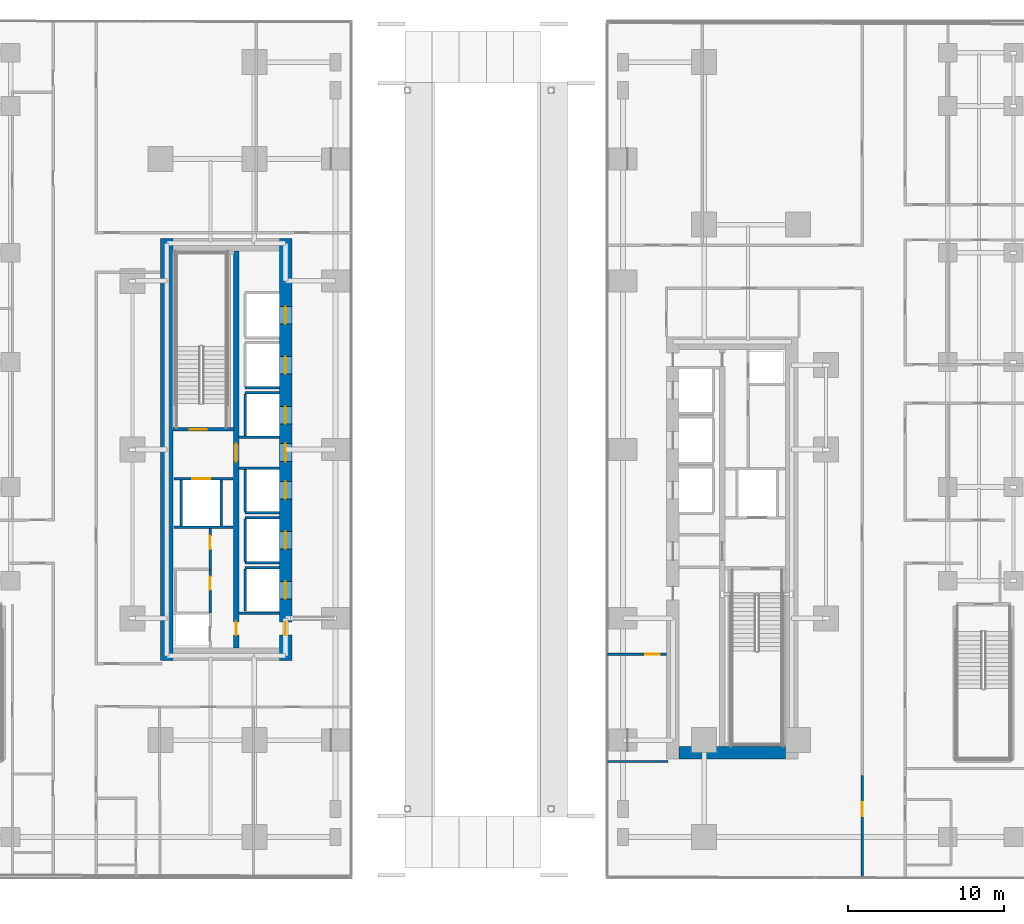
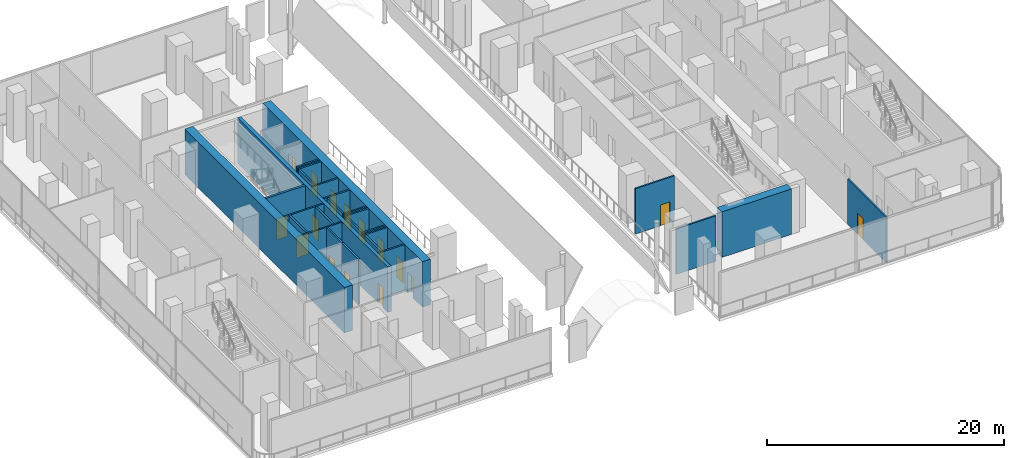
# One storey, part 9 of 31: 27 walls, 16 doors, 16 openings.
"""IFC4 building model written with IfcOpenShell, lengths in metres."""

from ifc_helpers import new_model, si_unit, direction, frame, frame_2d, origin, place, context, subcontext, project, spatial, rectangle, extrude, material, layer, layer_set, type_object, element, fill, save


model = new_model("IFC4")

# Units and contexts
model_context = context("Model", 3, precision=1e-05, world=origin(), true_north=direction((0.0, 1.0)))
body_context = subcontext(model_context, "Body", "Model", "MODEL_VIEW")
ifc_project = project(units=[si_unit("LENGTHUNIT", "METRE"), si_unit("AREAUNIT", "SQUARE_METRE"), si_unit("VOLUMEUNIT", "CUBIC_METRE"), si_unit("PLANEANGLEUNIT", "RADIAN"), si_unit("MASSUNIT", "GRAM", prefix="KILO")], contexts=[model_context])

# Site, building, storey
site_placement = place(None, origin())
site = spatial("IfcSite", under=ifc_project, at=site_placement, CompositionType="ELEMENT")
building_placement = place(site_placement, origin())
building = spatial("IfcBuilding", under=site, at=building_placement, Name="Khairoan Windgate Tower", CompositionType="ELEMENT")
storey_placement = place(building_placement, frame((0.0, 0.0, 11.0)))
storey = spatial("IfcBuildingStorey", under=building, at=storey_placement, Name="L03", CompositionType="ELEMENT", Elevation=11.0)

# Walls
ifc_material_1 = material(Name="Concrete C40/50", Category="concrete")
ifc_layer_1 = layer(ifc_material_1, 0.159912109375, Name="Concrete C40/50")
ifc_layer_set_1 = layer_set([ifc_layer_1], Name="Concrete C40/50")
wall_type_1 = type_object("IfcWallType", Name="Core and Hoistway Enclosure Wall", PredefinedType="STANDARD", material=ifc_layer_set_1)
for number, where, z_axis, x_axis, name in (
    (1, (-14.989990234375, 3.9599609375, 0.0), (0.0, 0.0, 1.0), (1.0, 0.0, 0.0), "L03 Lift PL2 Hoistway Divider S"),
    (2, (-14.989990234375, 3.639892578125, 0.0), (0.0, 0.0, 1.0), (1.0, 0.0, 0.0), "L03 Lift PL3 Hoistway Divider N"),
):
    element("IfcWall", number, at=place(storey_placement, frame(where, z_axis=z_axis, x_axis=x_axis)), inside=storey, type_object=wall_type_1, Name=name, PredefinedType="STANDARD", context=body_context, shape_type="SweptSolid", body=[
        extrude(rectangle(XDim=2.18994140625, YDim=0.159912109375, at=frame_2d((1.094970703125, 0.0))), origin(), (0.0, 0.0, 1.0), 4.699951171875),
    ])
wall_1_placement = place(storey_placement, frame((-14.989990234375, 0.85009765625, 0.0), z_axis=(0.0, 0.0, 1.0), x_axis=(0.0, 1.0, 0.0)))
element("IfcWall", 3, at=wall_1_placement, inside=storey, type_object=wall_type_1, Name="L03 Lift PL3 Hoistway Back Wall", PredefinedType="STANDARD", context=body_context, shape_type="SweptSolid", body=[
    extrude(rectangle(XDim=2.699951171875, YDim=0.159912109375, at=frame_2d((1.35009765625, 0.0))), origin(), (0.0, 0.0, 1.0), 4.699951171875),
])
wall_2_placement = place(storey_placement, frame((-14.989990234375, -4.0400390625, 0.0), z_axis=(0.0, 0.0, 1.0), x_axis=(1.0, 0.0, 0.0)))
element("IfcWall", 4, at=wall_2_placement, inside=storey, type_object=wall_type_1, Name="L03 Lift PL4 Hoistway Divider S", PredefinedType="STANDARD", context=body_context, shape_type="SweptSolid", body=[
    extrude(rectangle(XDim=2.18994140625, YDim=0.159912109375, at=frame_2d((1.094970703125, 0.0))), origin(), (0.0, 0.0, 1.0), 4.699951171875),
])
wall_3_placement = place(storey_placement, frame((-14.989990234375, -3.949951171875, 0.0), z_axis=(0.0, 0.0, 1.0), x_axis=(0.0, 1.0, 0.0)))
element("IfcWall", 5, at=wall_3_placement, inside=storey, type_object=wall_type_1, Name="L03 Lift PL4 Hoistway Back Wall", PredefinedType="STANDARD", context=body_context, shape_type="SweptSolid", body=[
    extrude(rectangle(XDim=2.699951171875, YDim=0.159912109375, at=frame_2d((1.35009765625, 0.0))), origin(), (0.0, 0.0, 1.0), 4.699951171875),
])
for number, where, z_axis, x_axis, name in (
    (6, (-14.989990234375, -7.239990234375, 0.0), (0.0, 0.0, 1.0), (1.0, 0.0, 0.0), "L03 Lift PL5 Hoistway Divider S"),
    (7, (-14.989990234375, -4.360107421875, 0.0), (0.0, 0.0, 1.0), (1.0, 0.0, 0.0), "L03 Lift PL5 Hoistway Divider N"),
):
    element("IfcWall", number, at=place(storey_placement, frame(where, z_axis=z_axis, x_axis=x_axis)), inside=storey, type_object=wall_type_1, Name=name, PredefinedType="STANDARD", context=body_context, shape_type="SweptSolid", body=[
        extrude(rectangle(XDim=2.18994140625, YDim=0.159912109375, at=frame_2d((1.094970703125, 0.0))), origin(), (0.0, 0.0, 1.0), 4.699951171875),
    ])
wall_4_placement = place(storey_placement, frame((-14.989990234375, -7.14990234375, 0.0), z_axis=(0.0, 0.0, 1.0), x_axis=(0.0, 1.0, 0.0)))
element("IfcWall", 8, at=wall_4_placement, inside=storey, type_object=wall_type_1, Name="L03 Lift PL5 Hoistway Back Wall", PredefinedType="STANDARD", context=body_context, shape_type="SweptSolid", body=[
    extrude(rectangle(XDim=2.699951171875, YDim=0.159912109375, at=frame_2d((1.35009765625, 0.0))), origin(), (0.0, 0.0, 1.0), 4.699951171875),
])
wall_5_placement = place(storey_placement, frame((-14.989990234375, -7.56005859375, 0.0), z_axis=(0.0, 0.0, 1.0), x_axis=(1.0, 0.0, 0.0)))
element("IfcWall", 9, at=wall_5_placement, inside=storey, type_object=wall_type_1, Name="L03 Lift PL6 Hoistway Divider N", PredefinedType="STANDARD", context=body_context, shape_type="SweptSolid", body=[
    extrude(rectangle(XDim=2.18994140625, YDim=0.159912109375, at=frame_2d((1.094970703125, 0.0))), origin(), (0.0, 0.0, 1.0), 4.699951171875),
])
wall_6_placement = place(storey_placement, frame((-14.989990234375, -10.35009765625, 0.0), z_axis=(0.0, 0.0, 1.0), x_axis=(0.0, 1.0, 0.0)))
element("IfcWall", 10, at=wall_6_placement, inside=storey, type_object=wall_type_1, Name="L03 Lift PL6 Hoistway Back Wall", PredefinedType="STANDARD", context=body_context, shape_type="SweptSolid", body=[
    extrude(rectangle(XDim=2.7001953125, YDim=0.159912109375, at=frame_2d((1.35009765625, 0.0))), origin(), (0.0, 0.0, 1.0), 4.699951171875),
])

# Wall, opening, door
wall_7_placement = place(storey_placement, frame((-19.550048828125, -1.860107421875, 0.0), z_axis=(0.0, 0.0, 1.0), x_axis=(1.0, 0.0, 0.0)))
wall_7 = element("IfcWall", 11, at=wall_7_placement, inside=storey, type_object=wall_type_1, Name="L03 Core Shaft Wall SW-FL2-L03", PredefinedType="STANDARD", context=body_context, shape_type="SweptSolid", body=[
    extrude(rectangle(XDim=3.800048828125, YDim=0.159912109375, at=frame_2d((1.89990234375, 0.0))), origin(), (0.0, 0.0, 1.0), 4.699951171875),
])
opening_1_placement = place(wall_7_placement, frame((1.179931640625, 0.0, 0.0)))
opening_1 = element("IfcOpeningElement", 12, at=opening_1_placement, cuts=wall_7, Name="Opening LD-FL", PredefinedType="OPENING", context=body_context, shape_type="SweptSolid", body=[
    extrude(rectangle(XDim=1.14990234375, YDim=2.199951171875, at=frame_2d((0.574951171875, 1.10009765625))), frame((0.0, 0.08984375, 0.0), z_axis=(0.0, -1.0, 0.0), x_axis=(1.0, 0.0, 0.0)), (0.0, 0.0, 1.0), 0.179931640625),
])
ifc_material_2 = material(Name="Steel S355", Category="steel")
door_type_1 = type_object("IfcDoorType", Name="Firefighting Lift Sliding Landing Door LD-FL 1150x2200", OperationType="DOUBLE_DOOR_SLIDING", PredefinedType="DOOR", material=ifc_material_2)
door_1_placement = place(opening_1_placement, origin())
door_1 = element("IfcDoor", 13, at=door_1_placement, inside=storey, type_object=door_type_1, Name="L03 Firefighting Lift FL2 Landing Door", OperationType="DOUBLE_DOOR_SLIDING", OverallHeight=2.199951171875, OverallWidth=1.14990234375, PredefinedType="DOOR", context=body_context, shape_type="SweptSolid", body=[
    extrude(rectangle(XDim=1.14990234375, YDim=2.199951171875, at=frame_2d((0.574951171875, 1.10009765625))), frame((0.0, 0.02490234375, 0.0), z_axis=(0.0, -1.0, 0.0), x_axis=(1.0, 0.0, 0.0)), (0.0, 0.0, 1.0), 0.050048828125),
])
fill(opening_1, door_1)

# Walls
wall_8_placement = place(storey_placement, frame((-19.550048828125, -4.97998046875, 0.0), z_axis=(0.0, 0.0, 1.0), x_axis=(1.0, 0.0, 0.0)))
element("IfcWall", 14, at=wall_8_placement, inside=storey, type_object=wall_type_1, Name="L03 Core Shaft Wall SW-FL2B-L03", PredefinedType="STANDARD", context=body_context, shape_type="SweptSolid", body=[
    extrude(rectangle(XDim=3.800048828125, YDim=0.159912109375, at=frame_2d((1.89990234375, 0.0))), origin(), (0.0, 0.0, 1.0), 4.699951171875),
])
for number, where, z_axis, x_axis, name in (
    (15, (-19.080078125, -4.89990234375, 0.0), (0.0, 0.0, 1.0), (0.0, 1.0, 0.0), "L03 Core Shaft Wall SW-FL2W-L03"),
    (16, (-16.52001953125, -4.89990234375, 0.0), (0.0, 0.0, 1.0), (0.0, 1.0, 0.0), "L03 Core Shaft Wall SW-FL2E-L03"),
):
    element("IfcWall", number, at=place(storey_placement, frame(where, z_axis=z_axis, x_axis=x_axis)), inside=storey, type_object=wall_type_1, Name=name, PredefinedType="STANDARD", context=body_context, shape_type="SweptSolid", body=[
        extrude(rectangle(XDim=2.9599609375, YDim=0.159912109375, at=frame_2d((1.47998046875, 0.0))), origin(), (0.0, 0.0, 1.0), 4.699951171875),
    ])
for number, where, z_axis, x_axis, name in (
    (17, (-15.39990234375, 0.800048828125, 0.0), (0.0, 0.0, 1.0), (1.0, 0.0, 0.0), "L03 Core Shaft Wall SW-WV1-L03"),
    (18, (-15.39990234375, -1.199951171875, 0.0), (0.0, 0.0, 1.0), (1.0, 0.0, 0.0), "L03 Core Shaft Wall SW-WV2-L03"),
    (19, (-15.39990234375, -10.47998046875, 0.0), (0.0, 0.0, 1.0), (1.0, 0.0, 0.0), "L03 Core Shaft Wall SW-WSV-L03"),
):
    element("IfcWall", number, at=place(storey_placement, frame(where, z_axis=z_axis, x_axis=x_axis)), inside=storey, type_object=wall_type_1, Name=name, PredefinedType="STANDARD", context=body_context, shape_type="SweptSolid", body=[
        extrude(rectangle(XDim=2.599853515625, YDim=0.159912109375, at=frame_2d((1.2998046875, 0.0))), origin(), (0.0, 0.0, 1.0), 4.699951171875),
    ])
ifc_material_3 = material(Name="Acoustic Fire-Rated Gypsum Partition", Category="gypsum")
ifc_layer_2 = layer(ifc_material_3, 0.139892578125, Name="Acoustic Fire-Rated Gypsum Partition")
ifc_layer_set_2 = layer_set([ifc_layer_2], Name="Acoustic Fire-Rated Gypsum Partition")
wall_type_2 = type_object("IfcWallType", Name="Inter-Tenancy Compartment Wall", PredefinedType="PARTITIONING", material=ifc_layer_set_2)
wall_9_placement = place(storey_placement, frame((8.205078125, -19.9599609375, 0.0), z_axis=(0.0, 0.0, 1.0), x_axis=(1.0, 0.0, 0.0)))
element("IfcWall", 20, at=wall_9_placement, inside=storey, type_object=wall_type_2, Name="L03 Interior Partition 074", PredefinedType="PARTITIONING", context=body_context, shape_type="SweptSolid", body=[
    extrude(rectangle(XDim=3.885009765625, YDim=0.139892578125, at=frame_2d((1.9423828125, 0.0))), origin(), (0.0, 0.0, 1.0), 4.699951171875),
])

# Wall, opening, door
ifc_material_4 = material(Name="Concrete C40/50", Category="concrete")
ifc_layer_3 = layer(ifc_material_4, 0.159912109375, Name="Concrete C40/50")
ifc_layer_set_3 = layer_set([ifc_layer_3], Name="Concrete C40/50")
wall_type_3 = type_object("IfcWallType", Name="Plant and Refuge Compartment Wall", PredefinedType="PARTITIONING", material=ifc_layer_set_3)
wall_10_placement = place(storey_placement, frame((-17.22998046875, -10.469970703125, 0.0), z_axis=(0.0, 0.0, 1.0), x_axis=(0.0, 1.0, 0.0)))
wall_10 = element("IfcWall", 21, at=wall_10_placement, inside=storey, type_object=wall_type_3, Name="L03 Interior Partition 002", PredefinedType="PARTITIONING", context=body_context, shape_type="SweptSolid", body=[
    extrude(rectangle(XDim=2.800048828125, YDim=0.159912109375, at=frame_2d((1.39990234375, 0.0))), origin(), (0.0, 0.0, 1.0), 4.699951171875),
])
opening_2_placement = place(wall_10_placement, frame((1.489990234375, 0.0, 0.0)))
opening_2 = element("IfcOpeningElement", 22, at=opening_2_placement, cuts=wall_10, Name="Opening FD-SRV", PredefinedType="OPENING", context=body_context, shape_type="SweptSolid", body=[
    extrude(rectangle(XDim=0.85009765625, YDim=2.10009765625, at=frame_2d((0.425048828125, 1.050048828125))), frame((0.0, 0.08984375, 0.0), z_axis=(0.0, -1.0, 0.0), x_axis=(1.0, 0.0, 0.0)), (0.0, 0.0, 1.0), 0.179931640625),
])
ifc_material_5 = material(Name="Steel S355", Category="steel")
door_type_2 = type_object("IfcDoorType", Name="Core Service and Riser Fire Door FD-SRV 850x2100", OperationType="NOTDEFINED", PredefinedType="DOOR", material=ifc_material_5)
door_2_placement = place(opening_2_placement, origin())
door_2 = element("IfcDoor", 23, at=door_2_placement, inside=storey, type_object=door_type_2, Name="L03 L03-04-L03-06 Door", OperationType="SINGLE_SWING_LEFT", OverallHeight=2.10009765625, OverallWidth=0.85009765625, PredefinedType="DOOR", context=body_context, shape_type="SweptSolid", body=[
    extrude(rectangle(XDim=0.85009765625, YDim=2.10009765625, at=frame_2d((0.425048828125, 1.050048828125))), frame((0.0, 0.02490234375, 0.0), z_axis=(0.0, -1.0, 0.0), x_axis=(1.0, 0.0, 0.0)), (0.0, 0.0, 1.0), 0.050048828125),
])
fill(opening_2, door_2)

wall_11_placement = place(storey_placement, frame((-17.22998046875, -7.669921875, 0.0), z_axis=(0.0, 0.0, 1.0), x_axis=(0.0, 1.0, 0.0)))
wall_11 = element("IfcWall", 24, at=wall_11_placement, inside=storey, type_object=wall_type_3, Name="L03 Interior Partition 003", PredefinedType="PARTITIONING", context=body_context, shape_type="SweptSolid", body=[
    extrude(rectangle(XDim=2.60986328125, YDim=0.159912109375, at=frame_2d((1.304931640625, 0.0))), origin(), (0.0, 0.0, 1.0), 4.699951171875),
])
opening_3_placement = place(wall_11_placement, frame((1.300048828125, 0.0, 0.0)))
opening_3 = element("IfcOpeningElement", 25, at=opening_3_placement, cuts=wall_11, Name="Opening FD-SRV", PredefinedType="OPENING", context=body_context, shape_type="SweptSolid", body=[
    extrude(rectangle(XDim=0.85009765625, YDim=2.10009765625, at=frame_2d((0.425048828125, 1.050048828125))), frame((0.0, 0.08984375, 0.0), z_axis=(0.0, -1.0, 0.0), x_axis=(1.0, 0.0, 0.0)), (0.0, 0.0, 1.0), 0.179931640625),
])
door_3_placement = place(opening_3_placement, origin())
door_3 = element("IfcDoor", 26, at=door_3_placement, inside=storey, type_object=door_type_2, Name="L03 L03-04-L03-07 Door", OperationType="SINGLE_SWING_RIGHT", OverallHeight=2.10009765625, OverallWidth=0.85009765625, PredefinedType="DOOR", context=body_context, shape_type="SweptSolid", body=[
    extrude(rectangle(XDim=0.85009765625, YDim=2.10009765625, at=frame_2d((0.425048828125, 1.050048828125))), frame((0.0, 0.02490234375, 0.0), z_axis=(0.0, -1.0, 0.0), x_axis=(1.0, 0.0, 0.0)), (0.0, 0.0, 1.0), 0.050048828125),
])
fill(opening_3, door_3)

ifc_material_6 = material(Name="Acoustic Fire-Rated Gypsum Partition", Category="gypsum")
ifc_layer_4 = layer(ifc_material_6, 0.14990234375, Name="Acoustic Fire-Rated Gypsum Partition")
ifc_layer_set_4 = layer_set([ifc_layer_4], Name="Acoustic Fire-Rated Gypsum Partition")
wall_type_4 = type_object("IfcWallType", Name="Rated Corridor Partition Wall", PredefinedType="PARTITIONING", material=ifc_layer_set_4)
wall_12_placement = place(storey_placement, frame((8.205078125, -13.10009765625, 0.0), z_axis=(0.0, 0.0, 1.0), x_axis=(1.0, 0.0, 0.0)))
wall_12 = element("IfcWall", 27, at=wall_12_placement, inside=storey, type_object=wall_type_4, Name="L03 Interior Partition 037", PredefinedType="PARTITIONING", context=body_context, shape_type="SweptSolid", body=[
    extrude(rectangle(XDim=3.794921875, YDim=0.14990234375, at=frame_2d((1.8974609375, 0.0))), origin(), (0.0, 0.0, 1.0), 4.699951171875),
])
opening_4_placement = place(wall_12_placement, frame((2.43505859375, 0.0, 0.0)))
opening_4 = element("IfcOpeningElement", 28, at=opening_4_placement, cuts=wall_12, Name="Opening FD-ENT", PredefinedType="OPENING", context=body_context, shape_type="SweptSolid", body=[
    extrude(rectangle(XDim=0.89990234375, YDim=2.14990234375, at=frame_2d((0.449951171875, 1.074951171875))), frame((0.0, 0.0849609375, 0.0), z_axis=(0.0, -1.0, 0.0), x_axis=(1.0, 0.0, 0.0)), (0.0, 0.0, 1.0), 0.169921875),
])
ifc_material_7 = material(Name="Timber Fire-Rated Core", Category="wood")
door_type_3 = type_object("IfcDoorType", Name="Unit and Office Fire Entrance Door FD-ENT 900x2150", OperationType="NOTDEFINED", PredefinedType="DOOR", material=ifc_material_7)
door_4_placement = place(opening_4_placement, origin())
door_4 = element("IfcDoor", 29, at=door_4_placement, inside=storey, type_object=door_type_3, Name="L03 L03-39-L03-70 Door", OperationType="SINGLE_SWING_LEFT", OverallHeight=2.14990234375, OverallWidth=0.89990234375, PredefinedType="DOOR", context=body_context, shape_type="SweptSolid", body=[
    extrude(rectangle(XDim=0.89990234375, YDim=2.14990234375, at=frame_2d((0.449951171875, 1.074951171875))), frame((0.0, 0.02490234375, 0.0), z_axis=(0.0, -1.0, 0.0), x_axis=(1.0, 0.0, 0.0)), (0.0, 0.0, 1.0), 0.050048828125),
])
fill(opening_4, door_4)

wall_13_placement = place(storey_placement, frame((24.52001953125, -27.41259765625, 0.0), z_axis=(0.0, 0.0, 1.0), x_axis=(0.0, 1.0, 0.0)))
wall_13 = element("IfcWall", 30, at=wall_13_placement, inside=storey, type_object=wall_type_4, Name="L03 Interior Partition 044", PredefinedType="PARTITIONING", context=body_context, shape_type="SweptSolid", body=[
    extrude(rectangle(XDim=6.53271484375, YDim=0.14990234375, at=frame_2d((3.266357421875, 0.0))), origin(), (0.0, 0.0, 1.0), 4.699951171875),
])
opening_5_placement = place(wall_13_placement, frame((3.943115234375, 0.0, 0.0)))
opening_5 = element("IfcOpeningElement", 31, at=opening_5_placement, cuts=wall_13, Name="Opening FD-ENT", PredefinedType="OPENING", context=body_context, shape_type="SweptSolid", body=[
    extrude(rectangle(XDim=0.89990234375, YDim=2.14990234375, at=frame_2d((0.449951171875, 1.074951171875))), frame((0.0, 0.0849609375, 0.0), z_axis=(0.0, -1.0, 0.0), x_axis=(1.0, 0.0, 0.0)), (0.0, 0.0, 1.0), 0.169921875),
])
door_5_placement = place(opening_5_placement, origin())
door_5 = element("IfcDoor", 32, at=door_5_placement, inside=storey, type_object=door_type_3, Name="L03 L03-40-L03-62 Door", OperationType="SINGLE_SWING_RIGHT", OverallHeight=2.14990234375, OverallWidth=0.89990234375, PredefinedType="DOOR", context=body_context, shape_type="SweptSolid", body=[
    extrude(rectangle(XDim=0.89990234375, YDim=2.14990234375, at=frame_2d((0.449951171875, 1.074951171875))), frame((0.0, 0.02490234375, 0.0), z_axis=(0.0, -1.0, 0.0), x_axis=(1.0, 0.0, 0.0)), (0.0, 0.0, 1.0), 0.050048828125),
])
fill(opening_5, door_5)

# Walls
ifc_material_8 = material(Name="Concrete C70/85", Category="concrete")
ifc_layer_5 = layer(ifc_material_8, 0.800048828125, Name="Concrete C70/85")
ifc_layer_set_5 = layer_set([ifc_layer_5], Name="Concrete C70/85")
wall_type_5 = type_object("IfcWallType", Name="Shear Wall CW-E1 800mm", PredefinedType="SHEAR", material=ifc_layer_set_5)
wall_14_placement = place(storey_placement, frame((12.800048828125, -19.39990234375, 0.0), z_axis=(0.0, 0.0, 1.0), x_axis=(1.0, 0.0, 0.0)))
element("IfcWall", 33, at=wall_14_placement, inside=storey, type_object=wall_type_5, Name="E Core South Shear Wall L03", PredefinedType="SHEAR", context=body_context, shape_type="SweptSolid", body=[
    extrude(rectangle(XDim=6.800048828125, YDim=0.800048828125, at=frame_2d((3.39990234375, 0.0))), origin(), (0.0, 0.0, 1.0), 4.699951171875),
])
ifc_material_9 = material(Name="Concrete C70/85", Category="concrete")
ifc_layer_6 = layer(ifc_material_9, 0.800048828125, Name="Concrete C70/85")
ifc_layer_set_6 = layer_set([ifc_layer_6], Name="Concrete C70/85")
wall_type_6 = type_object("IfcWallType", Name="Shear Wall CW-W1 800mm", PredefinedType="SHEAR", material=ifc_layer_set_6)
wall_15_placement = place(storey_placement, frame((-20.0, -13.5, 0.0), z_axis=(0.0, 0.0, 1.0), x_axis=(0.0, 1.0, 0.0)))
element("IfcWall", 34, at=wall_15_placement, inside=storey, type_object=wall_type_6, Name="W Core West Shear Wall L03", PredefinedType="SHEAR", context=body_context, shape_type="SweptSolid", body=[
    extrude(rectangle(XDim=27.0, YDim=0.800048828125, at=frame_2d((13.5, 0.0))), origin(), (0.0, 0.0, 1.0), 4.699951171875),
])

# Wall, openings, doors
wall_16_placement = place(storey_placement, frame((-12.39990234375, -13.5, 0.0), z_axis=(0.0, 0.0, 1.0), x_axis=(0.0, 1.0, 0.0)))
wall_16 = element("IfcWall", 35, at=wall_16_placement, inside=storey, type_object=wall_type_6, Name="W Core East Shear Wall L03", PredefinedType="SHEAR", context=body_context, shape_type="SweptSolid", body=[
    extrude(rectangle(XDim=27.0, YDim=0.800048828125, at=frame_2d((13.5, 0.0))), origin(), (0.0, 0.0, 1.0), 4.699951171875),
])
opening_6_placement = place(wall_16_placement, frame((21.550048828125, 0.0, 0.0)))
opening_6 = element("IfcOpeningElement", 36, at=opening_6_placement, cuts=wall_16, Name="Opening LD-PL", PredefinedType="OPENING", context=body_context, shape_type="SweptSolid", body=[
    extrude(rectangle(XDim=1.10009765625, YDim=2.199951171875, at=frame_2d((0.550048828125, 1.10009765625))), frame((0.0, 0.409912109375, 0.0), z_axis=(0.0, -1.0, 0.0), x_axis=(1.0, 0.0, 0.0)), (0.0, 0.0, 1.0), 0.820068359375),
])
opening_7_placement = place(wall_16_placement, frame((18.35009765625, 0.0, 0.0)))
opening_7 = element("IfcOpeningElement", 37, at=opening_7_placement, cuts=wall_16, Name="Opening LD-PL", PredefinedType="OPENING", context=body_context, shape_type="SweptSolid", body=[
    extrude(rectangle(XDim=1.10009765625, YDim=2.199951171875, at=frame_2d((0.550048828125, 1.10009765625))), frame((0.0, 0.409912109375, 0.0), z_axis=(0.0, -1.0, 0.0), x_axis=(1.0, 0.0, 0.0)), (0.0, 0.0, 1.0), 0.820068359375),
])
opening_8_placement = place(wall_16_placement, frame((15.14990234375, 0.0, 0.0)))
opening_8 = element("IfcOpeningElement", 38, at=opening_8_placement, cuts=wall_16, Name="Opening LD-PL", PredefinedType="OPENING", context=body_context, shape_type="SweptSolid", body=[
    extrude(rectangle(XDim=1.10009765625, YDim=2.199951171875, at=frame_2d((0.550048828125, 1.10009765625))), frame((0.0, 0.409912109375, 0.0), z_axis=(0.0, -1.0, 0.0), x_axis=(1.0, 0.0, 0.0)), (0.0, 0.0, 1.0), 0.820068359375),
])
opening_9_placement = place(wall_16_placement, frame((10.35009765625, 0.0, 0.0)))
opening_9 = element("IfcOpeningElement", 39, at=opening_9_placement, cuts=wall_16, Name="Opening LD-PL", PredefinedType="OPENING", context=body_context, shape_type="SweptSolid", body=[
    extrude(rectangle(XDim=1.10009765625, YDim=2.199951171875, at=frame_2d((0.550048828125, 1.10009765625))), frame((0.0, 0.409912109375, 0.0), z_axis=(0.0, -1.0, 0.0), x_axis=(1.0, 0.0, 0.0)), (0.0, 0.0, 1.0), 0.820068359375),
])
opening_10_placement = place(wall_16_placement, frame((7.14990234375, 0.0, 0.0)))
opening_10 = element("IfcOpeningElement", 40, at=opening_10_placement, cuts=wall_16, Name="Opening LD-PL", PredefinedType="OPENING", context=body_context, shape_type="SweptSolid", body=[
    extrude(rectangle(XDim=1.10009765625, YDim=2.199951171875, at=frame_2d((0.550048828125, 1.10009765625))), frame((0.0, 0.409912109375, 0.0), z_axis=(0.0, -1.0, 0.0), x_axis=(1.0, 0.0, 0.0)), (0.0, 0.0, 1.0), 0.820068359375),
])
opening_11_placement = place(wall_16_placement, frame((3.949951171875, 0.0, 0.0)))
opening_11 = element("IfcOpeningElement", 41, at=opening_11_placement, cuts=wall_16, Name="Opening LD-PL", PredefinedType="OPENING", context=body_context, shape_type="SweptSolid", body=[
    extrude(rectangle(XDim=1.10009765625, YDim=2.199951171875, at=frame_2d((0.550048828125, 1.10009765625))), frame((0.0, 0.409912109375, 0.0), z_axis=(0.0, -1.0, 0.0), x_axis=(1.0, 0.0, 0.0)), (0.0, 0.0, 1.0), 0.820068359375),
])
opening_12_placement = place(wall_16_placement, frame((12.72509765625, 0.0, 0.0)))
opening_12 = element("IfcOpeningElement", 42, at=opening_12_placement, cuts=wall_16, Name="Opening FD-FFL", PredefinedType="OPENING", context=body_context, shape_type="SweptSolid", body=[
    extrude(rectangle(XDim=1.14990234375, YDim=2.199951171875, at=frame_2d((0.574951171875, 1.10009765625))), frame((0.0, 0.409912109375, 0.0), z_axis=(0.0, -1.0, 0.0), x_axis=(1.0, 0.0, 0.0)), (0.0, 0.0, 1.0), 0.820068359375),
])
opening_13_placement = place(wall_16_placement, frame((1.625, 0.0, 0.0)))
opening_13 = element("IfcOpeningElement", 43, at=opening_13_placement, cuts=wall_16, Name="Opening FD-SRV", PredefinedType="OPENING", context=body_context, shape_type="SweptSolid", body=[
    extrude(rectangle(XDim=0.85009765625, YDim=2.10009765625, at=frame_2d((0.425048828125, 1.050048828125))), frame((0.0, 0.409912109375, 0.0), z_axis=(0.0, -1.0, 0.0), x_axis=(1.0, 0.0, 0.0)), (0.0, 0.0, 1.0), 0.820068359375),
])
door_6_placement = place(opening_13_placement, origin())
door_6 = element("IfcDoor", 44, at=door_6_placement, inside=storey, type_object=door_type_2, Name="L03 West Core Service Vestibule Outer Door", OperationType="SINGLE_SWING_RIGHT", OverallHeight=2.10009765625, OverallWidth=0.85009765625, PredefinedType="DOOR", context=body_context, shape_type="SweptSolid", body=[
    extrude(rectangle(XDim=0.85009765625, YDim=2.10009765625, at=frame_2d((0.425048828125, 1.050048828125))), frame((0.0, 0.02490234375, 0.0), z_axis=(0.0, -1.0, 0.0), x_axis=(1.0, 0.0, 0.0)), (0.0, 0.0, 1.0), 0.050048828125),
])
fill(opening_13, door_6)
ifc_material_10 = material(Name="Steel S355", Category="steel")
door_type_4 = type_object("IfcDoorType", Name="Firefighting Lobby Fire Door FD-FFL 1150x2200", OperationType="NOTDEFINED", PredefinedType="DOOR", material=ifc_material_10)
door_7_placement = place(opening_12_placement, origin())
door_7 = element("IfcDoor", 45, at=door_7_placement, inside=storey, type_object=door_type_4, Name="L03 West Core Vestibule Entry Door", OperationType="SINGLE_SWING_RIGHT", OverallHeight=2.199951171875, OverallWidth=1.14990234375, PredefinedType="DOOR", context=body_context, shape_type="SweptSolid", body=[
    extrude(rectangle(XDim=1.14990234375, YDim=2.199951171875, at=frame_2d((0.574951171875, 1.10009765625))), frame((0.0, 0.02490234375, 0.0), z_axis=(0.0, -1.0, 0.0), x_axis=(1.0, 0.0, 0.0)), (0.0, 0.0, 1.0), 0.050048828125),
])
fill(opening_12, door_7)
ifc_material_11 = material(Name="Anodised Bronze Aluminium 6063-T6", Category="aluminium")
door_type_5 = type_object("IfcDoorType", Name="Passenger Lift Sliding Landing Door LD-PL 1100x2200", OperationType="DOUBLE_DOOR_SLIDING", PredefinedType="DOOR", material=ifc_material_11)
door_8_placement = place(opening_6_placement, origin())
door_8 = element("IfcDoor", 46, at=door_8_placement, inside=storey, type_object=door_type_5, Name="L03 Lift PL1 Sliding Landing Door", OperationType="DOUBLE_DOOR_SLIDING", OverallHeight=2.199951171875, OverallWidth=1.10009765625, PredefinedType="DOOR", context=body_context, shape_type="SweptSolid", body=[
    extrude(rectangle(XDim=1.10009765625, YDim=2.199951171875, at=frame_2d((0.550048828125, 1.10009765625))), frame((0.0, 0.02490234375, 0.0), z_axis=(0.0, -1.0, 0.0), x_axis=(1.0, 0.0, 0.0)), (0.0, 0.0, 1.0), 0.050048828125),
])
fill(opening_6, door_8)
door_9_placement = place(opening_7_placement, origin())
door_9 = element("IfcDoor", 47, at=door_9_placement, inside=storey, type_object=door_type_5, Name="L03 Lift PL2 Sliding Landing Door", OperationType="DOUBLE_DOOR_SLIDING", OverallHeight=2.199951171875, OverallWidth=1.10009765625, PredefinedType="DOOR", context=body_context, shape_type="SweptSolid", body=[
    extrude(rectangle(XDim=1.10009765625, YDim=2.199951171875, at=frame_2d((0.550048828125, 1.10009765625))), frame((0.0, 0.02490234375, 0.0), z_axis=(0.0, -1.0, 0.0), x_axis=(1.0, 0.0, 0.0)), (0.0, 0.0, 1.0), 0.050048828125),
])
fill(opening_7, door_9)
door_10_placement = place(opening_8_placement, origin())
door_10 = element("IfcDoor", 48, at=door_10_placement, inside=storey, type_object=door_type_5, Name="L03 Lift PL3 Sliding Landing Door", OperationType="DOUBLE_DOOR_SLIDING", OverallHeight=2.199951171875, OverallWidth=1.10009765625, PredefinedType="DOOR", context=body_context, shape_type="SweptSolid", body=[
    extrude(rectangle(XDim=1.10009765625, YDim=2.199951171875, at=frame_2d((0.550048828125, 1.10009765625))), frame((0.0, 0.02490234375, 0.0), z_axis=(0.0, -1.0, 0.0), x_axis=(1.0, 0.0, 0.0)), (0.0, 0.0, 1.0), 0.050048828125),
])
fill(opening_8, door_10)
door_11_placement = place(opening_9_placement, origin())
door_11 = element("IfcDoor", 49, at=door_11_placement, inside=storey, type_object=door_type_5, Name="L03 Lift PL4 Sliding Landing Door", OperationType="DOUBLE_DOOR_SLIDING", OverallHeight=2.199951171875, OverallWidth=1.10009765625, PredefinedType="DOOR", context=body_context, shape_type="SweptSolid", body=[
    extrude(rectangle(XDim=1.10009765625, YDim=2.199951171875, at=frame_2d((0.550048828125, 1.10009765625))), frame((0.0, 0.02490234375, 0.0), z_axis=(0.0, -1.0, 0.0), x_axis=(1.0, 0.0, 0.0)), (0.0, 0.0, 1.0), 0.050048828125),
])
fill(opening_9, door_11)
door_12_placement = place(opening_10_placement, origin())
door_12 = element("IfcDoor", 50, at=door_12_placement, inside=storey, type_object=door_type_5, Name="L03 Lift PL5 Sliding Landing Door", OperationType="DOUBLE_DOOR_SLIDING", OverallHeight=2.199951171875, OverallWidth=1.10009765625, PredefinedType="DOOR", context=body_context, shape_type="SweptSolid", body=[
    extrude(rectangle(XDim=1.10009765625, YDim=2.199951171875, at=frame_2d((0.550048828125, 1.10009765625))), frame((0.0, 0.02490234375, 0.0), z_axis=(0.0, -1.0, 0.0), x_axis=(1.0, 0.0, 0.0)), (0.0, 0.0, 1.0), 0.050048828125),
])
fill(opening_10, door_12)
door_13_placement = place(opening_11_placement, origin())
door_13 = element("IfcDoor", 51, at=door_13_placement, inside=storey, type_object=door_type_5, Name="L03 Lift PL6 Sliding Landing Door", OperationType="DOUBLE_DOOR_SLIDING", OverallHeight=2.199951171875, OverallWidth=1.10009765625, PredefinedType="DOOR", context=body_context, shape_type="SweptSolid", body=[
    extrude(rectangle(XDim=1.10009765625, YDim=2.199951171875, at=frame_2d((0.550048828125, 1.10009765625))), frame((0.0, 0.02490234375, 0.0), z_axis=(0.0, -1.0, 0.0), x_axis=(1.0, 0.0, 0.0)), (0.0, 0.0, 1.0), 0.050048828125),
])
fill(opening_11, door_13)

ifc_material_12 = material(Name="Concrete C60/75", Category="concrete")
ifc_layer_7 = layer(ifc_material_12, 0.35009765625, Name="Concrete C60/75")
ifc_layer_set_7 = layer_set([ifc_layer_7], Name="Concrete C60/75")
wall_type_7 = type_object("IfcWallType", Name="Shear Wall SW-1 350mm", PredefinedType="SHEAR", material=ifc_layer_set_7)
wall_17_placement = place(storey_placement, frame((-15.550048828125, -12.699951171875, 0.0), z_axis=(0.0, 0.0, 1.0), x_axis=(0.0, 1.0, 0.0)))
wall_17 = element("IfcWall", 52, at=wall_17_placement, inside=storey, type_object=wall_type_7, Name="W Core Spine Shear Wall L03", PredefinedType="SHEAR", context=body_context, shape_type="SweptSolid", body=[
    extrude(rectangle(XDim=25.39990234375, YDim=0.35009765625, at=frame_2d((12.699951171875, 0.0))), origin(), (0.0, 0.0, 1.0), 4.699951171875),
])
opening_14_placement = place(wall_17_placement, frame((11.925048828125, 0.0, 0.0)))
opening_14 = element("IfcOpeningElement", 53, at=opening_14_placement, cuts=wall_17, Name="Opening FD-FFL", PredefinedType="OPENING", context=body_context, shape_type="SweptSolid", body=[
    extrude(rectangle(XDim=1.14990234375, YDim=2.199951171875, at=frame_2d((0.574951171875, 1.10009765625))), frame((0.0, 0.18505859375, 0.0), z_axis=(0.0, -1.0, 0.0), x_axis=(1.0, 0.0, 0.0)), (0.0, 0.0, 1.0), 0.3701171875),
])
opening_15_placement = place(wall_17_placement, frame((0.824951171875, 0.0, 0.0)))
opening_15 = element("IfcOpeningElement", 54, at=opening_15_placement, cuts=wall_17, Name="Opening FD-SRV", PredefinedType="OPENING", context=body_context, shape_type="SweptSolid", body=[
    extrude(rectangle(XDim=0.85009765625, YDim=2.10009765625, at=frame_2d((0.425048828125, 1.050048828125))), frame((0.0, 0.18505859375, 0.0), z_axis=(0.0, -1.0, 0.0), x_axis=(1.0, 0.0, 0.0)), (0.0, 0.0, 1.0), 0.3701171875),
])
door_14_placement = place(opening_15_placement, origin())
door_14 = element("IfcDoor", 55, at=door_14_placement, inside=storey, type_object=door_type_2, Name="L03 West Core Service Passage Inner Door", OperationType="SINGLE_SWING_LEFT", OverallHeight=2.10009765625, OverallWidth=0.85009765625, PredefinedType="DOOR", context=body_context, shape_type="SweptSolid", body=[
    extrude(rectangle(XDim=0.85009765625, YDim=2.10009765625, at=frame_2d((0.425048828125, 1.050048828125))), frame((0.0, 0.02490234375, 0.0), z_axis=(0.0, -1.0, 0.0), x_axis=(1.0, 0.0, 0.0)), (0.0, 0.0, 1.0), 0.050048828125),
])
fill(opening_15, door_14)
door_15_placement = place(opening_14_placement, origin())
door_15 = element("IfcDoor", 56, at=door_15_placement, inside=storey, type_object=door_type_4, Name="L03 West Firefighting Lobby Fire Door", OperationType="SINGLE_SWING_LEFT", OverallHeight=2.199951171875, OverallWidth=1.14990234375, PredefinedType="DOOR", context=body_context, shape_type="SweptSolid", body=[
    extrude(rectangle(XDim=1.14990234375, YDim=2.199951171875, at=frame_2d((0.574951171875, 1.10009765625))), frame((0.0, 0.02490234375, 0.0), z_axis=(0.0, -1.0, 0.0), x_axis=(1.0, 0.0, 0.0)), (0.0, 0.0, 1.0), 0.050048828125),
])
fill(opening_14, door_15)

# Wall, opening, door
ifc_material_13 = material(Name="Concrete C50/60", Category="concrete")
ifc_layer_8 = layer(ifc_material_13, 0.219970703125, Name="Concrete C50/60")
ifc_layer_set_8 = layer_set([ifc_layer_8], Name="Concrete C50/60")
wall_type_8 = type_object("IfcWallType", Name="Shear Wall SW-ST 220mm", PredefinedType="SHEAR", material=ifc_layer_set_8)
wall_18_placement = place(storey_placement, frame((-19.6201171875, 1.2900390625, 0.0), z_axis=(0.0, 0.0, 1.0), x_axis=(1.0, 0.0, 0.0)))
wall_18 = element("IfcWall", 57, at=wall_18_placement, inside=storey, type_object=wall_type_8, Name="L03 Stair ST2 South Bearing Wall", PredefinedType="SHEAR", context=body_context, shape_type="SweptSolid", body=[
    extrude(rectangle(XDim=3.9150390625, YDim=0.219970703125, at=frame_2d((1.95751953125, 0.0))), origin(), (0.0, 0.0, 1.0), 4.699951171875),
])
opening_16_placement = place(wall_18_placement, frame((1.080078125, 0.0, 0.0)))
opening_16 = element("IfcOpeningElement", 58, at=opening_16_placement, cuts=wall_18, Name="Opening FD-ST", PredefinedType="OPENING", context=body_context, shape_type="SweptSolid", body=[
    extrude(rectangle(XDim=1.10009765625, YDim=2.199951171875, at=frame_2d((0.550048828125, 1.10009765625))), frame((0.0, 0.119873046875, 0.0), z_axis=(0.0, -1.0, 0.0), x_axis=(1.0, 0.0, 0.0)), (0.0, 0.0, 1.0), 0.239990234375),
])
ifc_material_14 = material(Name="Steel S355", Category="steel")
door_type_6 = type_object("IfcDoorType", Name="Smokeproof Stair Fire Door FD-ST 1100x2200", OperationType="NOTDEFINED", PredefinedType="DOOR", material=ifc_material_14)
door_16_placement = place(opening_16_placement, origin())
door_16 = element("IfcDoor", 59, at=door_16_placement, inside=storey, type_object=door_type_6, Name="L03 Stair ST2 Fire Door", OperationType="SINGLE_SWING_RIGHT", OverallHeight=2.199951171875, OverallWidth=1.10009765625, PredefinedType="DOOR", context=body_context, shape_type="SweptSolid", body=[
    extrude(rectangle(XDim=1.10009765625, YDim=2.199951171875, at=frame_2d((0.550048828125, 1.10009765625))), frame((0.0, 0.02490234375, 0.0), z_axis=(0.0, -1.0, 0.0), x_axis=(1.0, 0.0, 0.0)), (0.0, 0.0, 1.0), 0.050048828125),
])
fill(opening_16, door_16)

save(model, "model.ifc")
